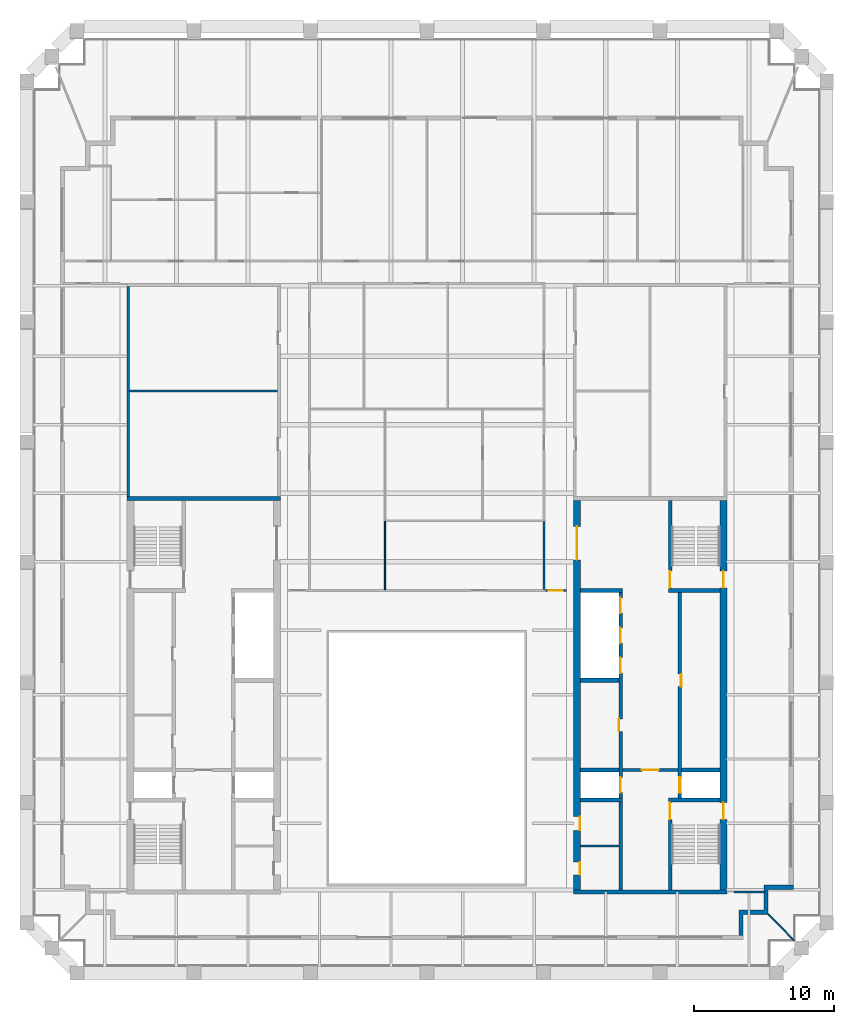
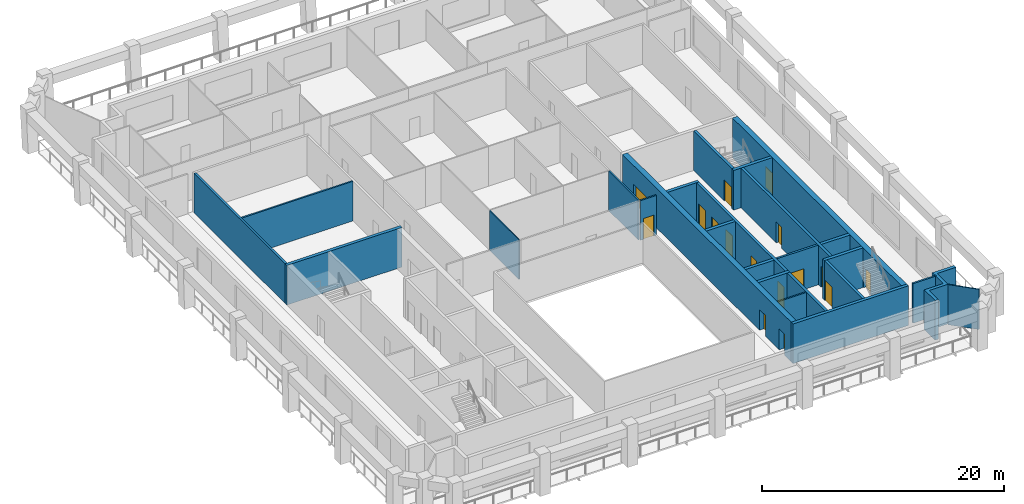
# One storey, part 4 of 8: 25 walls, 16 doors, 16 openings.
"""IFC4 building model written with IfcOpenShell, lengths in metres."""

from ifc_helpers import new_model, si_unit, direction, frame, frame_2d, origin, place, context, subcontext, project, spatial, polyline, rectangle, outline, extrude, material, layer, layer_set, type_object, element, fill, save


model = new_model("IFC4")

# Units and contexts
model_context = context("Model", 3, precision=1e-05, world=origin(), true_north=direction((0.0, 1.0)))
body_context = subcontext(model_context, "Body", "Model", "MODEL_VIEW")
ifc_project = project(units=[si_unit("LENGTHUNIT", "METRE"), si_unit("AREAUNIT", "SQUARE_METRE"), si_unit("VOLUMEUNIT", "CUBIC_METRE"), si_unit("PLANEANGLEUNIT", "RADIAN"), si_unit("MASSUNIT", "GRAM", prefix="KILO")], contexts=[model_context])

# Site, building, storey
site_placement = place(None, origin())
site = spatial("IfcSite", under=ifc_project, at=site_placement, CompositionType="ELEMENT")
building_placement = place(site_placement, origin())
building = spatial("IfcBuilding", under=site, at=building_placement, Name="Ogive Exchange Tower", CompositionType="ELEMENT")
storey_placement = place(building_placement, frame((0.0, 0.0, 342.60009765625)))
storey = spatial("IfcBuildingStorey", under=building, at=storey_placement, Name="L75", CompositionType="ELEMENT", Elevation=342.60009765625)

# Walls
ifc_material_1 = material(Name="Gypsum board partition")
ifc_layer_1 = layer(ifc_material_1, 0.14990234375)
ifc_layer_set_1 = layer_set([ifc_layer_1], Name="Core room partition 150 gypsum")
wall_type_1 = type_object("IfcWallType", Name="Core room partition 150 gypsum", PredefinedType="PARTITIONING", material=ifc_layer_set_1)
wall_1_placement = place(storey_placement, frame((-21.300048828125, 33.300048828125, 0.0), z_axis=(0.0, 0.0, 1.0), x_axis=(1.0, 0.0, 0.0)))
element("IfcWall", 1, at=wall_1_placement, inside=storey, type_object=wall_type_1, Name="W annex N cross wall", PredefinedType="PARTITIONING", context=body_context, shape_type="SweptSolid", body=[
    extrude(rectangle(XDim=10.60009765625, YDim=0.14990234375, at=frame_2d((5.300048828125, 0.0))), origin(), (0.0, 0.0, 1.0), 4.0),
])
wall_2_placement = place(storey_placement, frame((11.0, 0.699951171875, 0.0), z_axis=(0.0, 0.0, 1.0), x_axis=(1.0, 0.0, 0.0)))
element("IfcWall", 2, at=wall_2_placement, inside=storey, type_object=wall_type_1, Name="E south room partition", PredefinedType="PARTITIONING", context=body_context, shape_type="SweptSolid", body=[
    extrude(rectangle(XDim=2.75, YDim=0.14990234375, at=frame_2d((1.375, 0.0))), origin(), (0.0, 0.0, 1.0), 4.0),
])
ifc_material_2 = material(Name="Fire partition EI 60 150")
ifc_layer_2 = layer(ifc_material_2, 0.14990234375)
ifc_layer_set_2 = layer_set([ifc_layer_2], Name="Fire partition EI 60 150")
wall_type_2 = type_object("IfcWallType", Name="Fire partition EI 60 150", PredefinedType="PARTITIONING", material=ifc_layer_set_2)
wall_3_placement = place(storey_placement, frame((8.39990234375, 19.074951171875, 0.0), z_axis=(0.0, 0.0, 1.0), x_axis=(0.0, 1.0, 0.0)))
element("IfcWall", 3, at=wall_3_placement, inside=storey, type_object=wall_type_2, Name="L75-PWL-041", PredefinedType="PARTITIONING", context=body_context, shape_type="SweptSolid", body=[
    extrude(rectangle(XDim=4.875, YDim=0.14990234375, at=frame_2d((2.4375, 0.0))), origin(), (0.0, 0.0, 1.0), 4.0),
])
wall_4_placement = place(storey_placement, frame((22.0, -2.60009765625, 0.0), z_axis=(0.0, 0.0, 1.0), x_axis=(1.0, 0.0, 0.0)))
element("IfcWall", 4, at=wall_4_placement, inside=storey, type_object=wall_type_2, Name="L75-PWL-050", PredefinedType="PARTITIONING", context=body_context, shape_type="SweptSolid", body=[
    extrude(rectangle(XDim=2.25, YDim=0.14990234375, at=frame_2d((1.125, 0.0))), origin(), (0.0, 0.0, 1.0), 4.0),
])

# Wall, opening, door
wall_5_placement = place(storey_placement, frame((8.485107421875, 19.0, 0.0), z_axis=(0.0, 0.0, 1.0), x_axis=(1.0, 0.0, 0.0)))
wall_5 = element("IfcWall", 5, at=wall_5_placement, inside=storey, type_object=wall_type_2, Name="L75-PWL-056", PredefinedType="PARTITIONING", context=body_context, shape_type="SweptSolid", body=[
    extrude(rectangle(XDim=1.514892578125, YDim=0.14990234375, at=frame_2d((0.75732421875, 0.0))), origin(), (0.0, 0.0, 1.0), 4.0),
])
opening_1_placement = place(wall_5_placement, frame((0.258056640625, 0.0, 0.0)))
opening_1 = element("IfcOpeningElement", 6, at=opening_1_placement, cuts=wall_5, Name="Opening L75-I22", PredefinedType="OPENING", context=body_context, shape_type="SweptSolid", body=[
    extrude(rectangle(XDim=1.0, YDim=2.10009765625, at=frame_2d((0.5, 1.050048828125))), frame((0.0, 0.0849609375, 0.0), z_axis=(0.0, -1.0, 0.0), x_axis=(1.0, 0.0, 0.0)), (0.0, 0.0, 1.0), 0.169921875),
])
ifc_material_3 = material(Name="Fire door FD 30S 1000 x 2100")
door_type_1 = type_object("IfcDoorType", Name="Fire door FD 30S 1000 x 2100", OperationType="NOTDEFINED", PredefinedType="DOOR", material=ifc_material_3)
door_1_placement = place(opening_1_placement, origin())
door_1 = element("IfcDoor", 7, at=door_1_placement, inside=storey, type_object=door_type_1, Name="L75-IDR-022", ObjectType="DT3", OperationType="SINGLE_SWING_RIGHT", OverallHeight=2.10009765625, OverallWidth=1.0, PredefinedType="DOOR", context=body_context, shape_type="SweptSolid", body=[
    extrude(rectangle(XDim=1.0, YDim=2.10009765625, at=frame_2d((0.5, 1.050048828125))), frame((0.0, 0.02490234375, 0.0), z_axis=(0.0, -1.0, 0.0), x_axis=(1.0, 0.0, 0.0)), (0.0, 0.0, 1.0), 0.050048828125),
])
fill(opening_1, door_1)

# Walls
ifc_material_4 = material(Name="Precast concrete C40/50", Category="concrete")
ifc_layer_3 = layer(ifc_material_4, 0.300048828125)
ifc_layer_set_3 = layer_set([ifc_layer_3], Name="Limestone-faced wall 300")
wall_type_3 = type_object("IfcWallType", Name="Limestone-faced wall 300", PredefinedType="STANDARD", material=ifc_layer_set_3)
wall_6_placement = place(storey_placement, origin())
element("IfcWall", 8, at=wall_6_placement, inside=storey, type_object=wall_type_3, Name="External corner wall C1", PredefinedType="STANDARD", context=body_context, shape_type="SweptSolid", body=[
    extrude(outline(polyline([(24.14990234375, -3.89990234375), (24.14990234375, -2.10009765625), (26.25, -2.10009765625), (26.25, -2.39990234375), (24.449951171875, -2.39990234375), (24.449951171875, -4.199951171875), (22.64990234375, -4.199951171875), (22.64990234375, -5.699951171875), (22.35009765625, -5.699951171875), (22.35009765625, -3.89990234375), (24.14990234375, -3.89990234375)])), origin(), (0.0, 0.0, 1.0), 4.0),
])
ifc_material_5 = material(Name="Laminated safety glass in steel frame", Category="steel")
ifc_layer_4 = layer(ifc_material_5, 0.10009765625)
ifc_layer_set_4 = layer_set([ifc_layer_4], Name="Loggia end screen 100")
wall_type_4 = type_object("IfcWallType", Name="Loggia end screen 100", PredefinedType="STANDARD", material=ifc_layer_set_4)
wall_7_placement = place(storey_placement, frame((24.449951171875, -4.199951171875, -0.050048828125), z_axis=(0.0, 0.0, 1.0), x_axis=(0.707106781187, -0.707106781187, 0.0)))
element("IfcWall", 9, at=wall_7_placement, inside=storey, type_object=wall_type_4, Name="Loggia end screen C1", PredefinedType="STANDARD", context=body_context, shape_type="SweptSolid", body=[
    extrude(rectangle(XDim=2.667236328125, YDim=0.10009765625, at=frame_2d((1.33349609375, 0.0))), origin(), (0.0, 0.0, 1.0), 4.050048828125),
])
ifc_material_6 = material(Name="Partition 100 gypsum")
ifc_layer_5 = layer(ifc_material_6, 0.10009765625)
ifc_layer_set_5 = layer_set([ifc_layer_5], Name="Partition 100 gypsum")
wall_type_5 = type_object("IfcWallType", Name="Partition 100 gypsum", PredefinedType="PARTITIONING", material=ifc_layer_set_5)
wall_8_placement = place(storey_placement, frame((-3.0, 19.074951171875, 0.0), z_axis=(0.0, 0.0, 1.0), x_axis=(0.0, 1.0, 0.0)))
element("IfcWall", 10, at=wall_8_placement, inside=storey, type_object=wall_type_5, Name="L75-PWL-025", PredefinedType="PARTITIONING", context=body_context, shape_type="SweptSolid", body=[
    extrude(rectangle(XDim=4.875, YDim=0.10009765625, at=frame_2d((2.4375, 0.0))), origin(), (0.0, 0.0, 1.0), 4.0),
])
ifc_material_7 = material(Name="Concrete C70/85", Category="concrete")
ifc_layer_6 = layer(ifc_material_7, 0.199951171875)
ifc_layer_set_6 = layer_set([ifc_layer_6], Name="RC core wall 200 C70/85")
wall_type_6 = type_object("IfcWallType", Name="RC core wall 200 C70/85", PredefinedType="SHEAR", material=ifc_layer_set_6)
wall_9_placement = place(storey_placement, frame((-21.39990234375, 25.75, 0.0), z_axis=(0.0, 0.0, 1.0), x_axis=(0.0, 1.0, 0.0)))
element("IfcWall", 11, at=wall_9_placement, inside=storey, type_object=wall_type_6, Name="W annex N outer wall", PredefinedType="SHEAR", context=body_context, shape_type="SweptSolid", body=[
    extrude(rectangle(XDim=15.050048828125, YDim=0.199951171875, at=frame_2d((7.52490234375, 0.0))), origin(), (0.0, 0.0, 1.0), 4.0),
])

# Wall, opening, door
wall_10_placement = place(storey_placement, frame((14.0, 6.142822265625, 0.0), z_axis=(0.0, 0.0, 1.0), x_axis=(1.0, 0.0, 0.0)))
wall_10 = element("IfcWall", 12, at=wall_10_placement, inside=storey, type_object=wall_type_6, Name="E firefighting lobby wall", PredefinedType="SHEAR", context=body_context, shape_type="SweptSolid", body=[
    extrude(rectangle(XDim=4.0, YDim=0.199951171875, at=frame_2d((2.0, 0.0))), origin(), (0.0, 0.0, 1.0), 4.0),
])
opening_2_placement = place(wall_10_placement, frame((1.39990234375, 0.0, 0.0)))
opening_2 = element("IfcOpeningElement", 13, at=opening_2_placement, cuts=wall_10, Name="Opening L75-C26", PredefinedType="OPENING", context=body_context, shape_type="SweptSolid", body=[
    extrude(rectangle(XDim=1.199951171875, YDim=2.10009765625, at=frame_2d((0.60009765625, 1.050048828125))), frame((0.0, 0.10986328125, 0.0), z_axis=(0.0, -1.0, 0.0), x_axis=(1.0, 0.0, 0.0)), (0.0, 0.0, 1.0), 0.219970703125),
])
ifc_material_8 = material(Name="Steel fire door", Category="steel")
door_type_2 = type_object("IfcDoorType", Name="Firefighting lobby door FD60 1200 x 2100", OperationType="NOTDEFINED", PredefinedType="DOOR", material=ifc_material_8)
door_2_placement = place(opening_2_placement, frame((1.199951171875, 0.0, 0.0), z_axis=(0.0, 0.0, 1.0), x_axis=(-1.0, 0.0, 0.0)))
door_2 = element("IfcDoor", 14, at=door_2_placement, inside=storey, type_object=door_type_2, Name="Firefighting lobby door", ObjectType="CD3", OperationType="SINGLE_SWING_LEFT", OverallHeight=2.10009765625, OverallWidth=1.199951171875, PredefinedType="DOOR", context=body_context, shape_type="SweptSolid", body=[
    extrude(rectangle(XDim=1.199951171875, YDim=2.10009765625, at=frame_2d((0.60009765625, 1.050048828125))), frame((0.0, 0.02490234375, 0.0), z_axis=(0.0, -1.0, 0.0), x_axis=(1.0, 0.0, 0.0)), (0.0, 0.0, 1.0), 0.050048828125),
])
fill(opening_2, door_2)

ifc_layer_7 = layer(ifc_material_7, 0.25)
ifc_layer_set_7 = layer_set([ifc_layer_7], Name="RC core wall 250 C70/85")
wall_type_7 = type_object("IfcWallType", Name="RC core wall 250 C70/85", PredefinedType="SHEAR", material=ifc_layer_set_7)
wall_11_placement = place(storey_placement, frame((17.425048828125, -2.449951171875, 0.0), z_axis=(0.0, 0.0, 1.0), x_axis=(0.0, 1.0, 0.0)))
wall_11 = element("IfcWall", 15, at=wall_11_placement, inside=storey, type_object=wall_type_7, Name="E stair S front wall", PredefinedType="SHEAR", context=body_context, shape_type="SweptSolid", body=[
    extrude(rectangle(XDim=6.300048828125, YDim=0.25, at=frame_2d((3.14990234375, 0.0))), origin(), (0.0, 0.0, 1.0), 4.0),
])
opening_3_placement = place(wall_11_placement, frame((5.050048828125, 0.0, 0.0)))
opening_3 = element("IfcOpeningElement", 16, at=opening_3_placement, cuts=wall_11, Name="Opening L75-C28", PredefinedType="OPENING", context=body_context, shape_type="SweptSolid", body=[
    extrude(rectangle(XDim=1.199951171875, YDim=2.10009765625, at=frame_2d((0.60009765625, 1.050048828125))), frame((0.0, 0.135009765625, 0.0), z_axis=(0.0, -1.0, 0.0), x_axis=(1.0, 0.0, 0.0)), (0.0, 0.0, 1.0), 0.27001953125),
])
door_type_3 = type_object("IfcDoorType", Name="Stair door FD90 1200 x 2100", OperationType="NOTDEFINED", PredefinedType="DOOR", material=ifc_material_8)
door_3_placement = place(opening_3_placement, frame((1.199951171875, 0.0, 0.0), z_axis=(0.0, 0.0, 1.0), x_axis=(-1.0, 0.0, 0.0)))
door_3 = element("IfcDoor", 17, at=door_3_placement, inside=storey, type_object=door_type_3, Name="Stair door", ObjectType="CD5", OperationType="SINGLE_SWING_RIGHT", OverallHeight=2.10009765625, OverallWidth=1.199951171875, PredefinedType="DOOR", context=body_context, shape_type="SweptSolid", body=[
    extrude(rectangle(XDim=1.199951171875, YDim=2.10009765625, at=frame_2d((0.60009765625, 1.050048828125))), frame((0.0, 0.02490234375, 0.0), z_axis=(0.0, -1.0, 0.0), x_axis=(1.0, 0.0, 0.0)), (0.0, 0.0, 1.0), 0.050048828125),
])
fill(opening_3, door_3)

wall_12_placement = place(storey_placement, frame((17.425048828125, 19.14990234375, 0.0), z_axis=(0.0, 0.0, 1.0), x_axis=(0.0, 1.0, 0.0)))
wall_12 = element("IfcWall", 18, at=wall_12_placement, inside=storey, type_object=wall_type_7, Name="E stair N front wall", PredefinedType="SHEAR", context=body_context, shape_type="SweptSolid", body=[
    extrude(rectangle(XDim=6.300048828125, YDim=0.25, at=frame_2d((3.14990234375, 0.0))), origin(), (0.0, 0.0, 1.0), 4.0),
])
opening_4_placement = place(wall_12_placement, frame((0.050048828125, 0.0, 0.0)))
opening_4 = element("IfcOpeningElement", 19, at=opening_4_placement, cuts=wall_12, Name="Opening L75-C30", PredefinedType="OPENING", context=body_context, shape_type="SweptSolid", body=[
    extrude(rectangle(XDim=1.199951171875, YDim=2.10009765625, at=frame_2d((0.60009765625, 1.050048828125))), frame((0.0, 0.135009765625, 0.0), z_axis=(0.0, -1.0, 0.0), x_axis=(1.0, 0.0, 0.0)), (0.0, 0.0, 1.0), 0.27001953125),
])
door_4_placement = place(opening_4_placement, frame((1.199951171875, 0.0, 0.0), z_axis=(0.0, 0.0, 1.0), x_axis=(-1.0, 0.0, 0.0)))
door_4 = element("IfcDoor", 20, at=door_4_placement, inside=storey, type_object=door_type_3, Name="Stair door", ObjectType="CD5", OperationType="SINGLE_SWING_LEFT", OverallHeight=2.10009765625, OverallWidth=1.199951171875, PredefinedType="DOOR", context=body_context, shape_type="SweptSolid", body=[
    extrude(rectangle(XDim=1.199951171875, YDim=2.10009765625, at=frame_2d((0.60009765625, 1.050048828125))), frame((0.0, 0.02490234375, 0.0), z_axis=(0.0, -1.0, 0.0), x_axis=(1.0, 0.0, 0.0)), (0.0, 0.0, 1.0), 0.050048828125),
])
fill(opening_4, door_4)

# Wall, openings, doors
wall_13_placement = place(storey_placement, frame((18.125, 4.14990234375, 0.0), z_axis=(0.0, 0.0, 1.0), x_axis=(0.0, 1.0, 0.0)))
wall_13 = element("IfcWall", 21, at=wall_13_placement, inside=storey, type_object=wall_type_7, Name="E row A front wall", PredefinedType="SHEAR", context=body_context, shape_type="SweptSolid", body=[
    extrude(rectangle(XDim=14.7001953125, YDim=0.25, at=frame_2d((7.35009765625, 0.0))), origin(), (0.0, 0.0, 1.0), 4.0),
])
opening_5_placement = place(wall_13_placement, frame((7.971435546875, 0.0, 0.0)))
opening_5 = element("IfcOpeningElement", 22, at=opening_5_placement, cuts=wall_13, Name="Opening L75-C19", PredefinedType="OPENING", context=body_context, shape_type="SweptSolid", body=[
    extrude(rectangle(XDim=0.89990234375, YDim=2.10009765625, at=frame_2d((0.449951171875, 1.050048828125))), frame((0.0, 0.135009765625, 0.0), z_axis=(0.0, -1.0, 0.0), x_axis=(1.0, 0.0, 0.0)), (0.0, 0.0, 1.0), 0.27001953125),
])
opening_6_placement = place(wall_13_placement, frame((0.371337890625, 0.0, 0.0)))
opening_6 = element("IfcOpeningElement", 23, at=opening_6_placement, cuts=wall_13, Name="Opening L75-C20", PredefinedType="OPENING", context=body_context, shape_type="SweptSolid", body=[
    extrude(rectangle(XDim=1.10009765625, YDim=2.10009765625, at=frame_2d((0.550048828125, 1.050048828125))), frame((0.0, 0.135009765625, 0.0), z_axis=(0.0, -1.0, 0.0), x_axis=(1.0, 0.0, 0.0)), (0.0, 0.0, 1.0), 0.27001953125),
])
ifc_material_9 = material(Name="Stainless steel", Category="steel")
door_type_4 = type_object("IfcDoorType", Name="Lift landing door FD90 1100 x 2100", OperationType="SLIDING_TO_LEFT", PredefinedType="DOOR", material=ifc_material_9)
door_5_placement = place(opening_6_placement, origin())
door_5 = element("IfcDoor", 24, at=door_5_placement, inside=storey, type_object=door_type_4, Name="Lift landing door FF2", ObjectType="LD", OperationType="SLIDING_TO_LEFT", OverallHeight=2.10009765625, OverallWidth=1.10009765625, PredefinedType="DOOR", context=body_context, shape_type="SweptSolid", body=[
    extrude(rectangle(XDim=1.10009765625, YDim=2.10009765625, at=frame_2d((0.550048828125, 1.050048828125))), frame((0.0, 0.02490234375, 0.0), z_axis=(0.0, -1.0, 0.0), x_axis=(1.0, 0.0, 0.0)), (0.0, 0.0, 1.0), 0.050048828125),
])
fill(opening_6, door_5)
door_type_5 = type_object("IfcDoorType", Name="Riser door FD60 900 x 2100", OperationType="NOTDEFINED", PredefinedType="DOOR", material=ifc_material_8)
door_6_placement = place(opening_5_placement, frame((0.89990234375, -0.2001953125, 0.0), z_axis=(0.0, 0.0, 1.0), x_axis=(-1.0, 0.0, 0.0)))
door_6 = element("IfcDoor", 25, at=door_6_placement, inside=storey, type_object=door_type_5, Name="Riser door", ObjectType="CD2", OperationType="SINGLE_SWING_LEFT", OverallHeight=2.10009765625, OverallWidth=0.89990234375, PredefinedType="DOOR", context=body_context, shape_type="SweptSolid", body=[
    extrude(rectangle(XDim=0.89990234375, YDim=2.10009765625, at=frame_2d((0.449951171875, 1.050048828125))), frame((0.0, -0.0751953125, 0.0), z_axis=(0.0, -1.0, 0.0), x_axis=(1.0, 0.0, 0.0)), (0.0, 0.0, 1.0), 0.050048828125),
])
fill(opening_5, door_6)

wall_14_placement = place(storey_placement, frame((13.875, -2.449951171875, 0.0), z_axis=(0.0, 0.0, 1.0), x_axis=(0.0, 1.0, 0.0)))
wall_14 = element("IfcWall", 26, at=wall_14_placement, inside=storey, type_object=wall_type_7, Name="E row B front wall", PredefinedType="SHEAR", context=body_context, shape_type="SweptSolid", body=[
    extrude(rectangle(XDim=21.300048828125, YDim=0.25, at=frame_2d((10.64990234375, 0.0))), origin(), (0.0, 0.0, 1.0), 4.0),
])
opening_7_placement = place(wall_14_placement, frame((11.357177734375, 0.0, 0.0)))
opening_7 = element("IfcOpeningElement", 27, at=opening_7_placement, cuts=wall_14, Name="Opening L75-C21", PredefinedType="OPENING", context=body_context, shape_type="SweptSolid", body=[
    extrude(rectangle(XDim=0.89990234375, YDim=2.10009765625, at=frame_2d((0.449951171875, 1.050048828125))), frame((0.0, 0.135009765625, 0.0), z_axis=(0.0, -1.0, 0.0), x_axis=(1.0, 0.0, 0.0)), (0.0, 0.0, 1.0), 0.27001953125),
])
opening_8_placement = place(wall_14_placement, frame((6.971435546875, 0.0, 0.0)))
opening_8 = element("IfcOpeningElement", 28, at=opening_8_placement, cuts=wall_14, Name="Opening L75-C22", PredefinedType="OPENING", context=body_context, shape_type="SweptSolid", body=[
    extrude(rectangle(XDim=1.10009765625, YDim=2.10009765625, at=frame_2d((0.550048828125, 1.050048828125))), frame((0.0, 0.135009765625, 0.0), z_axis=(0.0, -1.0, 0.0), x_axis=(1.0, 0.0, 0.0)), (0.0, 0.0, 1.0), 0.27001953125),
])
opening_9_placement = place(wall_14_placement, frame((15.54296875, 0.0, 0.0)))
opening_9 = element("IfcOpeningElement", 29, at=opening_9_placement, cuts=wall_14, Name="Opening L75-C23", PredefinedType="OPENING", context=body_context, shape_type="SweptSolid", body=[
    extrude(rectangle(XDim=1.10009765625, YDim=2.10009765625, at=frame_2d((0.550048828125, 1.050048828125))), frame((0.0, 0.135009765625, 0.0), z_axis=(0.0, -1.0, 0.0), x_axis=(1.0, 0.0, 0.0)), (0.0, 0.0, 1.0), 0.27001953125),
])
opening_10_placement = place(wall_14_placement, frame((17.685791015625, 0.0, 0.0)))
opening_10 = element("IfcOpeningElement", 30, at=opening_10_placement, cuts=wall_14, Name="Opening L75-C24", PredefinedType="OPENING", context=body_context, shape_type="SweptSolid", body=[
    extrude(rectangle(XDim=1.10009765625, YDim=2.10009765625, at=frame_2d((0.550048828125, 1.050048828125))), frame((0.0, 0.135009765625, 0.0), z_axis=(0.0, -1.0, 0.0), x_axis=(1.0, 0.0, 0.0)), (0.0, 0.0, 1.0), 0.27001953125),
])
opening_11_placement = place(wall_14_placement, frame((19.82861328125, 0.0, 0.0)))
opening_11 = element("IfcOpeningElement", 31, at=opening_11_placement, cuts=wall_14, Name="Opening L75-C25", PredefinedType="OPENING", context=body_context, shape_type="SweptSolid", body=[
    extrude(rectangle(XDim=1.10009765625, YDim=2.10009765625, at=frame_2d((0.550048828125, 1.050048828125))), frame((0.0, 0.135009765625, 0.0), z_axis=(0.0, -1.0, 0.0), x_axis=(1.0, 0.0, 0.0)), (0.0, 0.0, 1.0), 0.27001953125),
])
door_7_placement = place(opening_8_placement, origin())
door_7 = element("IfcDoor", 32, at=door_7_placement, inside=storey, type_object=door_type_4, Name="Lift landing door SV2", ObjectType="LD", OperationType="SLIDING_TO_LEFT", OverallHeight=2.10009765625, OverallWidth=1.10009765625, PredefinedType="DOOR", context=body_context, shape_type="SweptSolid", body=[
    extrude(rectangle(XDim=1.10009765625, YDim=2.10009765625, at=frame_2d((0.550048828125, 1.050048828125))), frame((0.0, 0.02490234375, 0.0), z_axis=(0.0, -1.0, 0.0), x_axis=(1.0, 0.0, 0.0)), (0.0, 0.0, 1.0), 0.050048828125),
])
fill(opening_8, door_7)
door_8_placement = place(opening_9_placement, origin())
door_8 = element("IfcDoor", 33, at=door_8_placement, inside=storey, type_object=door_type_4, Name="Lift landing door E-H1", ObjectType="LD", OperationType="SLIDING_TO_LEFT", OverallHeight=2.10009765625, OverallWidth=1.10009765625, PredefinedType="DOOR", context=body_context, shape_type="SweptSolid", body=[
    extrude(rectangle(XDim=1.10009765625, YDim=2.10009765625, at=frame_2d((0.550048828125, 1.050048828125))), frame((0.0, 0.02490234375, 0.0), z_axis=(0.0, -1.0, 0.0), x_axis=(1.0, 0.0, 0.0)), (0.0, 0.0, 1.0), 0.050048828125),
])
fill(opening_9, door_8)
door_9_placement = place(opening_10_placement, origin())
door_9 = element("IfcDoor", 34, at=door_9_placement, inside=storey, type_object=door_type_4, Name="Lift landing door E-H2", ObjectType="LD", OperationType="SLIDING_TO_LEFT", OverallHeight=2.10009765625, OverallWidth=1.10009765625, PredefinedType="DOOR", context=body_context, shape_type="SweptSolid", body=[
    extrude(rectangle(XDim=1.10009765625, YDim=2.10009765625, at=frame_2d((0.550048828125, 1.050048828125))), frame((0.0, 0.02490234375, 0.0), z_axis=(0.0, -1.0, 0.0), x_axis=(1.0, 0.0, 0.0)), (0.0, 0.0, 1.0), 0.050048828125),
])
fill(opening_10, door_9)
door_10_placement = place(opening_11_placement, origin())
door_10 = element("IfcDoor", 35, at=door_10_placement, inside=storey, type_object=door_type_4, Name="Lift landing door E-H3", ObjectType="LD", OperationType="SLIDING_TO_LEFT", OverallHeight=2.10009765625, OverallWidth=1.10009765625, PredefinedType="DOOR", context=body_context, shape_type="SweptSolid", body=[
    extrude(rectangle(XDim=1.10009765625, YDim=2.10009765625, at=frame_2d((0.550048828125, 1.050048828125))), frame((0.0, 0.02490234375, 0.0), z_axis=(0.0, -1.0, 0.0), x_axis=(1.0, 0.0, 0.0)), (0.0, 0.0, 1.0), 0.050048828125),
])
fill(opening_11, door_10)
door_11_placement = place(opening_7_placement, origin())
door_11 = element("IfcDoor", 36, at=door_11_placement, inside=storey, type_object=door_type_5, Name="Riser door", ObjectType="CD2", OperationType="SINGLE_SWING_LEFT", OverallHeight=2.10009765625, OverallWidth=0.89990234375, PredefinedType="DOOR", context=body_context, shape_type="SweptSolid", body=[
    extrude(rectangle(XDim=0.89990234375, YDim=2.10009765625, at=frame_2d((0.449951171875, 1.050048828125))), frame((0.0, 0.125, 0.0), z_axis=(0.0, -1.0, 0.0), x_axis=(1.0, 0.0, 0.0)), (0.0, 0.0, 1.0), 0.050048828125),
])
fill(opening_7, door_11)

# Walls
ifc_layer_8 = layer(ifc_material_7, 0.300048828125)
ifc_layer_set_8 = layer_set([ifc_layer_8], Name="RC core wall 300 C70/85")
wall_type_8 = type_object("IfcWallType", Name="RC core wall 300 C70/85", PredefinedType="SHEAR", material=ifc_layer_set_8)
for number, where, z_axis, x_axis, name in (
    (37, (-21.5, 25.60009765625, 0.0), (0.0, 0.0, 1.0), (1.0, 0.0, 0.0), "W north end wall"),
    (38, (10.5, -2.60009765625, 0.0), (0.0, 0.0, 1.0), (1.0, 0.0, 0.0), "E south end wall"),
):
    element("IfcWall", number, at=place(storey_placement, frame(where, z_axis=z_axis, x_axis=x_axis)), inside=storey, type_object=wall_type_8, Name=name, PredefinedType="SHEAR", context=body_context, shape_type="SweptSolid", body=[
        extrude(rectangle(XDim=11.0, YDim=0.300048828125, at=frame_2d((5.5, 0.0))), origin(), (0.0, 0.0, 1.0), 4.0),
    ])
for number, where, z_axis, x_axis, name in (
    (39, (17.300048828125, 4.0, 0.0), (0.0, 0.0, 1.0), (1.0, 0.0, 0.0), "E stair S north wall"),
    (40, (17.300048828125, 19.0, 0.0), (0.0, 0.0, 1.0), (1.0, 0.0, 0.0), "E stair N south wall"),
):
    element("IfcWall", number, at=place(storey_placement, frame(where, z_axis=z_axis, x_axis=x_axis)), inside=storey, type_object=wall_type_8, Name=name, PredefinedType="SHEAR", context=body_context, shape_type="SweptSolid", body=[
        extrude(rectangle(XDim=3.699951171875, YDim=0.300048828125, at=frame_2d((1.85009765625, 0.0))), origin(), (0.0, 0.0, 1.0), 4.0),
    ])
wall_15_placement = place(storey_placement, frame((18.25, 6.142822265625, 0.0), z_axis=(0.0, 0.0, 1.0), x_axis=(1.0, 0.0, 0.0)))
element("IfcWall", 41, at=wall_15_placement, inside=storey, type_object=wall_type_8, Name="E row A divider 1", PredefinedType="SHEAR", context=body_context, shape_type="SweptSolid", body=[
    extrude(rectangle(XDim=2.75, YDim=0.300048828125, at=frame_2d((1.375, 0.0))), origin(), (0.0, 0.0, 1.0), 4.0),
])
wall_16_placement = place(storey_placement, frame((11.0, 4.0, 0.0), z_axis=(0.0, 0.0, 1.0), x_axis=(1.0, 0.0, 0.0)))
element("IfcWall", 42, at=wall_16_placement, inside=storey, type_object=wall_type_8, Name="E row B divider 0", PredefinedType="SHEAR", context=body_context, shape_type="SweptSolid", body=[
    extrude(rectangle(XDim=3.0, YDim=0.300048828125, at=frame_2d((1.5, 0.0))), origin(), (0.0, 0.0, 1.0), 4.0),
])
for number, where, z_axis, x_axis, name in (
    (43, (11.0, 6.142822265625, 0.0), (0.0, 0.0, 1.0), (1.0, 0.0, 0.0), "E row B divider 1"),
    (44, (11.0, 12.5712890625, 0.0), (0.0, 0.0, 1.0), (1.0, 0.0, 0.0), "E row B divider 4"),
):
    element("IfcWall", number, at=place(storey_placement, frame(where, z_axis=z_axis, x_axis=x_axis)), inside=storey, type_object=wall_type_8, Name=name, PredefinedType="SHEAR", context=body_context, shape_type="SweptSolid", body=[
        extrude(rectangle(XDim=2.75, YDim=0.300048828125, at=frame_2d((1.375, 0.0))), origin(), (0.0, 0.0, 1.0), 4.0),
    ])
wall_17_placement = place(storey_placement, frame((11.0, 19.0, 0.0), z_axis=(0.0, 0.0, 1.0), x_axis=(1.0, 0.0, 0.0)))
element("IfcWall", 45, at=wall_17_placement, inside=storey, type_object=wall_type_8, Name="E row B divider 7", PredefinedType="SHEAR", context=body_context, shape_type="SweptSolid", body=[
    extrude(rectangle(XDim=3.0, YDim=0.300048828125, at=frame_2d((1.5, 0.0))), origin(), (0.0, 0.0, 1.0), 4.0),
])

# Wall, openings, doors
ifc_layer_9 = layer(ifc_material_7, 0.5)
ifc_layer_set_9 = layer_set([ifc_layer_9], Name="RC core wall 500 C70/85")
wall_type_9 = type_object("IfcWallType", Name="RC core wall 500 C70/85", PredefinedType="SHEAR", material=ifc_layer_set_9)
wall_18_placement = place(storey_placement, frame((21.25, -2.449951171875, 0.0), z_axis=(0.0, 0.0, 1.0), x_axis=(0.0, 1.0, 0.0)))
wall_18 = element("IfcWall", 46, at=wall_18_placement, inside=storey, type_object=wall_type_9, Name="E outer wall", PredefinedType="SHEAR", context=body_context, shape_type="SweptSolid", body=[
    extrude(rectangle(XDim=27.89990234375, YDim=0.5, at=frame_2d((13.949951171875, 0.0))), origin(), (0.0, 0.0, 1.0), 4.0),
])
opening_12_placement = place(wall_18_placement, frame((5.050048828125, 0.0, 0.0)))
opening_12 = element("IfcOpeningElement", 47, at=opening_12_placement, cuts=wall_18, Name="Opening L75-C29", PredefinedType="OPENING", context=body_context, shape_type="SweptSolid", body=[
    extrude(rectangle(XDim=1.199951171875, YDim=2.10009765625, at=frame_2d((0.60009765625, 1.050048828125))), frame((0.0, 0.260009765625, 0.0), z_axis=(0.0, -1.0, 0.0), x_axis=(1.0, 0.0, 0.0)), (0.0, 0.0, 1.0), 0.52001953125),
])
opening_13_placement = place(wall_18_placement, frame((21.64990234375, 0.0, 0.0)))
opening_13 = element("IfcOpeningElement", 48, at=opening_13_placement, cuts=wall_18, Name="Opening L75-C31", PredefinedType="OPENING", context=body_context, shape_type="SweptSolid", body=[
    extrude(rectangle(XDim=1.199951171875, YDim=2.10009765625, at=frame_2d((0.60009765625, 1.050048828125))), frame((0.0, 0.260009765625, 0.0), z_axis=(0.0, -1.0, 0.0), x_axis=(1.0, 0.0, 0.0)), (0.0, 0.0, 1.0), 0.52001953125),
])
door_12_placement = place(opening_12_placement, frame((1.199951171875, 0.0, 0.0), z_axis=(0.0, 0.0, 1.0), x_axis=(-1.0, 0.0, 0.0)))
door_12 = element("IfcDoor", 49, at=door_12_placement, inside=storey, type_object=door_type_3, Name="Stair door", ObjectType="CD5", OperationType="SINGLE_SWING_RIGHT", OverallHeight=2.10009765625, OverallWidth=1.199951171875, PredefinedType="DOOR", context=body_context, shape_type="SweptSolid", body=[
    extrude(rectangle(XDim=1.199951171875, YDim=2.10009765625, at=frame_2d((0.60009765625, 1.050048828125))), frame((0.0, 0.02490234375, 0.0), z_axis=(0.0, -1.0, 0.0), x_axis=(1.0, 0.0, 0.0)), (0.0, 0.0, 1.0), 0.050048828125),
])
fill(opening_12, door_12)
door_13_placement = place(opening_13_placement, frame((1.199951171875, 0.0, 0.0), z_axis=(0.0, 0.0, 1.0), x_axis=(-1.0, 0.0, 0.0)))
door_13 = element("IfcDoor", 50, at=door_13_placement, inside=storey, type_object=door_type_3, Name="Stair door", ObjectType="CD5", OperationType="SINGLE_SWING_LEFT", OverallHeight=2.10009765625, OverallWidth=1.199951171875, PredefinedType="DOOR", context=body_context, shape_type="SweptSolid", body=[
    extrude(rectangle(XDim=1.199951171875, YDim=2.10009765625, at=frame_2d((0.60009765625, 1.050048828125))), frame((0.0, 0.02490234375, 0.0), z_axis=(0.0, -1.0, 0.0), x_axis=(1.0, 0.0, 0.0)), (0.0, 0.0, 1.0), 0.050048828125),
])
fill(opening_13, door_13)

wall_19_placement = place(storey_placement, frame((10.75, -2.449951171875, 0.0), z_axis=(0.0, 0.0, 1.0), x_axis=(0.0, 1.0, 0.0)))
wall_19 = element("IfcWall", 51, at=wall_19_placement, inside=storey, type_object=wall_type_9, Name="E inner wall", PredefinedType="SHEAR", context=body_context, shape_type="SweptSolid", body=[
    extrude(rectangle(XDim=27.89990234375, YDim=0.5, at=frame_2d((13.949951171875, 0.0))), origin(), (0.0, 0.0, 1.0), 4.0),
])
opening_14_placement = place(wall_19_placement, frame((23.64990234375, 0.0, 0.0)))
opening_14 = element("IfcOpeningElement", 52, at=opening_14_placement, cuts=wall_19, Name="Opening L75-C27", PredefinedType="OPENING", context=body_context, shape_type="SweptSolid", body=[
    extrude(rectangle(XDim=2.39990234375, YDim=2.10009765625, at=frame_2d((1.199951171875, 1.050048828125))), frame((0.0, 0.260009765625, 0.0), z_axis=(0.0, -1.0, 0.0), x_axis=(1.0, 0.0, 0.0)), (0.0, 0.0, 1.0), 0.52001953125),
])
opening_15_placement = place(wall_19_placement, frame((1.08740234375, 0.0, 0.0)))
opening_15 = element("IfcOpeningElement", 53, at=opening_15_placement, cuts=wall_19, Name="Opening L75-C32", PredefinedType="OPENING", context=body_context, shape_type="SweptSolid", body=[
    extrude(rectangle(XDim=0.89990234375, YDim=2.10009765625, at=frame_2d((0.449951171875, 1.050048828125))), frame((0.0, 0.260009765625, 0.0), z_axis=(0.0, -1.0, 0.0), x_axis=(1.0, 0.0, 0.0)), (0.0, 0.0, 1.0), 0.52001953125),
])
opening_16_placement = place(wall_19_placement, frame((4.262451171875, 0.0, 0.0)))
opening_16 = element("IfcOpeningElement", 54, at=opening_16_placement, cuts=wall_19, Name="Opening L75-C33", PredefinedType="OPENING", context=body_context, shape_type="SweptSolid", body=[
    extrude(rectangle(XDim=1.0, YDim=2.10009765625, at=frame_2d((0.5, 1.050048828125))), frame((0.0, 0.260009765625, 0.0), z_axis=(0.0, -1.0, 0.0), x_axis=(1.0, 0.0, 0.0)), (0.0, 0.0, 1.0), 0.52001953125),
])
ifc_material_10 = material(Name="Timber fire door", Category="wood")
door_type_6 = type_object("IfcDoorType", Name="Accessible WC door FD30S 1000 x 2100", OperationType="NOTDEFINED", PredefinedType="DOOR", material=ifc_material_10)
door_14_placement = place(opening_16_placement, origin())
door_14 = element("IfcDoor", 55, at=door_14_placement, inside=storey, type_object=door_type_6, Name="Accessible WC door", ObjectType="CD7", OperationType="SINGLE_SWING_RIGHT", OverallHeight=2.10009765625, OverallWidth=1.0, PredefinedType="DOOR", context=body_context, shape_type="SweptSolid", body=[
    extrude(rectangle(XDim=1.0, YDim=2.10009765625, at=frame_2d((0.5, 1.050048828125))), frame((0.0, -0.2001953125, 0.0), z_axis=(0.0, -1.0, 0.0), x_axis=(1.0, 0.0, 0.0)), (0.0, 0.0, 1.0), 0.050048828125),
])
fill(opening_16, door_14)
door_type_7 = type_object("IfcDoorType", Name="Core room door FD30S 900 x 2100", OperationType="NOTDEFINED", PredefinedType="DOOR", material=ifc_material_10)
door_15_placement = place(opening_15_placement, origin())
door_15 = element("IfcDoor", 56, at=door_15_placement, inside=storey, type_object=door_type_7, Name="Core room door", ObjectType="CD6", OperationType="SINGLE_SWING_RIGHT", OverallHeight=2.10009765625, OverallWidth=0.89990234375, PredefinedType="DOOR", context=body_context, shape_type="SweptSolid", body=[
    extrude(rectangle(XDim=0.89990234375, YDim=2.10009765625, at=frame_2d((0.449951171875, 1.050048828125))), frame((0.0, -0.2001953125, 0.0), z_axis=(0.0, -1.0, 0.0), x_axis=(1.0, 0.0, 0.0)), (0.0, 0.0, 1.0), 0.050048828125),
])
fill(opening_15, door_15)
ifc_material_11 = material(Name="Glazed steel fire door", Category="steel")
door_type_8 = type_object("IfcDoorType", Name="Lift lobby double door FD60 2400 x 2100", OperationType="DOUBLE_DOOR_SINGLE_SWING", PredefinedType="DOOR", material=ifc_material_11)
door_16_placement = place(opening_14_placement, origin())
door_16 = element("IfcDoor", 57, at=door_16_placement, inside=storey, type_object=door_type_8, Name="Lift lobby double door", ObjectType="CD4", OperationType="DOUBLE_DOOR_SINGLE_SWING", OverallHeight=2.10009765625, OverallWidth=2.39990234375, PredefinedType="DOOR", context=body_context, shape_type="SweptSolid", body=[
    extrude(rectangle(XDim=2.39990234375, YDim=2.10009765625, at=frame_2d((1.199951171875, 1.050048828125))), frame((0.0, 0.02490234375, 0.0), z_axis=(0.0, -1.0, 0.0), x_axis=(1.0, 0.0, 0.0)), (0.0, 0.0, 1.0), 0.050048828125),
])
fill(opening_14, door_16)

save(model, "model.ifc")
